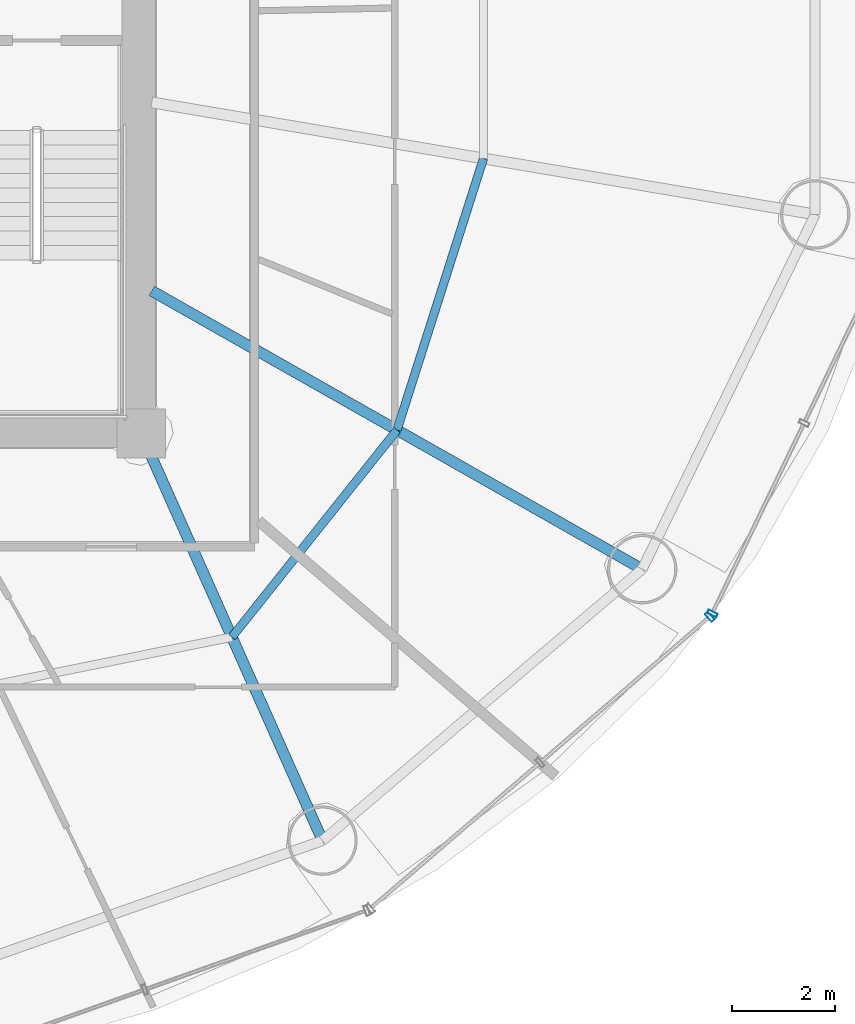
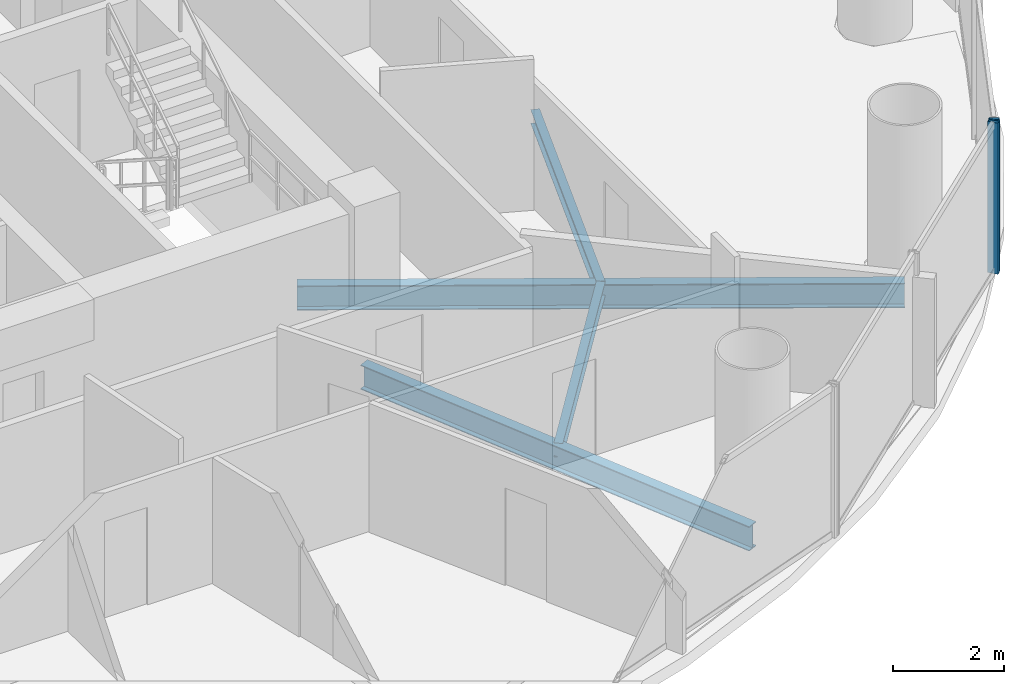
# One storey, part 10 of 27: 4 beams, 2 members, 2 elements without a shape of their own.
"""IFC4 building model written with IfcOpenShell, lengths in metres."""

from ifc_helpers import new_model, si_unit, direction, frame, origin, origin_2d, place, context, subcontext, project, spatial, hollow_rectangle, i_section, extrude, source, transform, mapped, material, material_profile, profile_set, type_object, element, aggregate, save


model = new_model("IFC4")

# Units and contexts
model_context = context("Model", 3, precision=1e-05, world=origin(), true_north=direction((-0.2419218956, 0.970295726276)))
body_context = subcontext(model_context, "Body", "Model", "MODEL_VIEW")
ifc_project = project(units=[si_unit("LENGTHUNIT", "METRE"), si_unit("AREAUNIT", "SQUARE_METRE"), si_unit("VOLUMEUNIT", "CUBIC_METRE"), si_unit("PLANEANGLEUNIT", "RADIAN"), si_unit("MASSUNIT", "GRAM", prefix="KILO")], contexts=[model_context])

# Site, building, storey
site_placement = place(None, origin())
site = spatial("IfcSite", under=ifc_project, at=site_placement, CompositionType="ELEMENT")
building_placement = place(site_placement, origin())
building = spatial("IfcBuilding", under=site, at=building_placement, Name="Cobrevalo Terracotta Tower", CompositionType="ELEMENT")
storey_placement = place(building_placement, frame((0.0, 0.0, 146.199951171875)))
storey = spatial("IfcBuildingStorey", under=building, at=storey_placement, Name="L38", CompositionType="ELEMENT", Elevation=146.199951171875)

# Beams
ifc_material_1 = material(Name="Steel S355", Category="steel")
ifc_material_profile_1 = material_profile(ifc_material_1, i_section(OverallWidth=0.2109375, OverallDepth=0.5390625, WebThickness=0.01171875, FlangeThickness=0.018798828125, at=origin_2d()), Name="W 530x109")
ifc_profile_set_1 = profile_set([ifc_material_profile_1], Name="Steel S355")
beam_type_1 = type_object("IfcBeamType", Name="Structural Beam W 530x109 (Steel S355)", PredefinedType="BEAM", material=ifc_profile_set_1)
beam_1_placement = place(storey_placement, frame((50.528076171875, 10.87744140625, -0.53955078125), z_axis=(-0.406804395691, 0.913515289224, 0.0), x_axis=(-0.913515289224, -0.406804395691, 0.0)))
element("IfcBeam", 1, at=beam_1_placement, inside=storey, type_object=beam_type_1, Name="L38 radial floor girder 14", PredefinedType="BEAM", context=body_context, shape_type="SweptSolid", body=[
    extrude(i_section(OverallWidth=0.2109375, OverallDepth=0.5390625, WebThickness=0.01171875, FlangeThickness=0.018798828125, at=origin_2d()), origin(), (0.0, 0.0, 1.0), 8.672607421875),
])
beam_2_placement = place(storey_placement, frame((56.749755859375, 16.160888671875, -0.53955078125), z_axis=(-0.869743726706, 0.493503647257, 0.0), x_axis=(-0.493503647257, -0.869743726706, 0.0)))
element("IfcBeam", 2, at=beam_2_placement, inside=storey, type_object=beam_type_1, Name="L38 radial floor girder 15", PredefinedType="BEAM", context=body_context, shape_type="SweptSolid", body=[
    extrude(i_section(OverallWidth=0.2109375, OverallDepth=0.5390625, WebThickness=0.01171875, FlangeThickness=0.018798828125, at=origin_2d()), origin(), (0.0, 0.0, 1.0), 10.97412109375),
])
ifc_material_profile_2 = material_profile(ifc_material_1, i_section(OverallWidth=0.1650390625, OverallDepth=0.31005859375, WebThickness=0.005859375, FlangeThickness=0.009765625, at=origin_2d()), Name="W 310x38.7")
ifc_profile_set_2 = profile_set([ifc_material_profile_2], Name="Steel S355")
beam_type_2 = type_object("IfcBeamType", Name="Structural Joist W 310x38.7 (Steel S355)", PredefinedType="JOIST", material=ifc_profile_set_2)
beam_3_placement = place(storey_placement, frame((48.76416015625, 14.838623046875, -0.425048828125), z_axis=(0.623382939397, 0.781916690492, 0.0), x_axis=(-0.781916690492, 0.623382939397, 0.0)))
element("IfcBeam", 3, at=beam_3_placement, inside=storey, type_object=beam_type_2, Name="L38 circumferential secondary floor joist 14", PredefinedType="JOIST", context=body_context, shape_type="SweptSolid", body=[
    extrude(i_section(OverallWidth=0.1650390625, OverallDepth=0.31005859375, WebThickness=0.005859375, FlangeThickness=0.009765625, at=origin_2d()), origin(), (0.0, 0.0, 1.0), 5.154296875),
])
beam_4_placement = place(storey_placement, frame((51.977294921875, 18.868896484375, -0.425048828125), z_axis=(0.303497928386, 0.952832098255, 0.0), x_axis=(-0.952832098255, 0.303497928386, 0.0)))
element("IfcBeam", 4, at=beam_4_placement, inside=storey, type_object=beam_type_2, Name="L38 circumferential secondary floor joist 15", PredefinedType="JOIST", context=body_context, shape_type="SweptSolid", body=[
    extrude(i_section(OverallWidth=0.1650390625, OverallDepth=0.31005859375, WebThickness=0.005859375, FlangeThickness=0.009765625, at=origin_2d()), origin(), (0.0, 0.0, 1.0), 5.54736328125),
])

# Curtain wall, member
ifc_material_2 = material(Name="Anodized aluminium", Category="aluminium")
curtain_wall_type = type_object("IfcCurtainWallType", Name="Mid-tower high-wind unitised curtain wall CW-U2", PredefinedType="NOTDEFINED", material=ifc_material_2)
curtain_wall_1_placement = place(storey_placement, origin())
curtain_wall_1 = element("IfcCurtainWall", 5, at=curtain_wall_1_placement, inside=storey, type_object=curtain_wall_type, Name="L38 curtain wall CW-L38-S14", PredefinedType="NOTDEFINED")
ifc_material_profile_3 = material_profile(ifc_material_2, hollow_rectangle(XDim=0.074951171875, YDim=0.199951171875, WallThickness=0.0048828125, at=origin_2d()), Name="CWM 75x200")
ifc_profile_set_3 = profile_set([ifc_material_profile_3], Name="Anodized aluminium")
member_type = type_object("IfcMemberType", Name="Lower/mid tower unitised mullion 75x200", PredefinedType="MULLION", material=ifc_profile_set_3)
shared_shape = source(origin(), body_context, "Body", "SweptSolid", [
    extrude(hollow_rectangle(XDim=0.074951171875, YDim=0.199951171875, WallThickness=0.0048828125, at=origin_2d()), origin(), (0.0, 0.0, 1.0), 3.330078125),
])
member_1_placement = place(storey_placement, frame((58.066162109375, 15.234619140625, 0.0), z_axis=(0.0, 0.0, 1.0), x_axis=(0.758441546142, 0.65174106905, 0.0)))
member_1 = element("IfcMember", 6, at=member_1_placement, type_object=member_type, Name="CW-L38-S14 vertical mullion 03", PredefinedType="MULLION", context=body_context, shape_type="MappedRepresentation", body=[
    mapped(shared_shape, transform((0.0, 0.0, 0.0), scale=1.0)),
])
aggregate(curtain_wall_1, [member_1])

curtain_wall_2_placement = place(storey_placement, origin())
curtain_wall_2 = element("IfcCurtainWall", 7, at=curtain_wall_2_placement, inside=storey, type_object=curtain_wall_type, Name="L38 curtain wall CW-L38-S15", PredefinedType="NOTDEFINED")
member_2_placement = place(storey_placement, frame((58.114013671875, 15.296875, 0.0), z_axis=(0.0, 0.0, 1.0), x_axis=(0.434209440271, 0.900811945957, 0.0)))
member_2 = element("IfcMember", 8, at=member_2_placement, type_object=member_type, Name="CW-L38-S15 vertical mullion 01", PredefinedType="MULLION", context=body_context, shape_type="MappedRepresentation", body=[
    mapped(shared_shape, transform((0.0, 0.0, 0.0), scale=1.0)),
])
aggregate(curtain_wall_2, [member_2])

save(model, "model.ifc")
